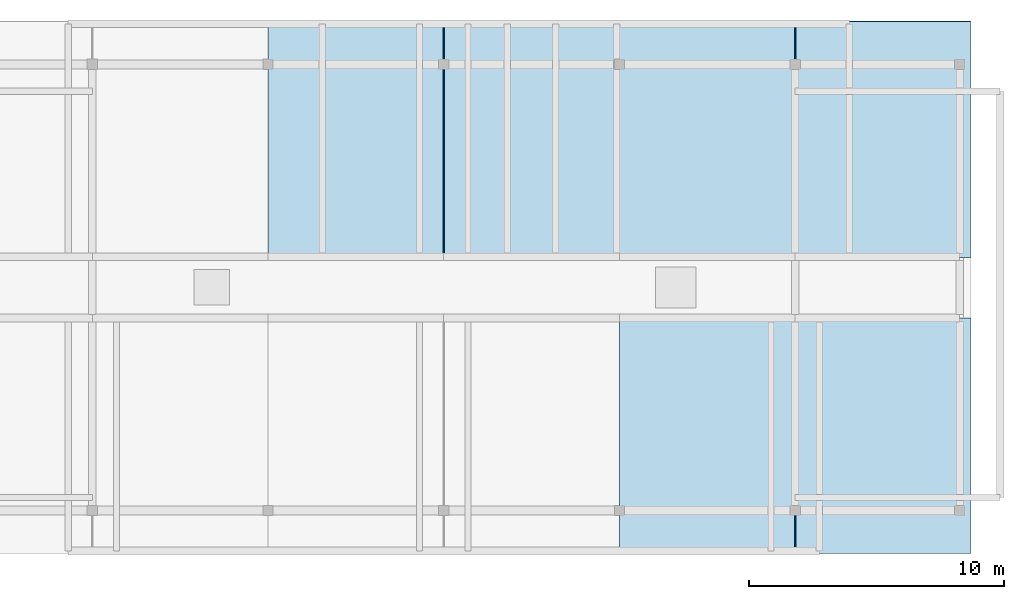
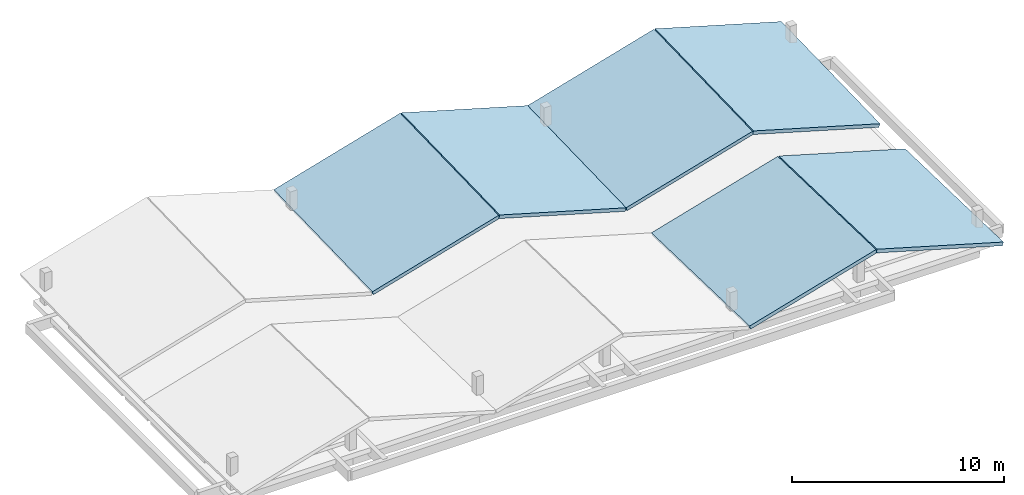
# One storey, part 2 of 3: 6 slabs.
"""IFC4 building model written with IfcOpenShell, lengths in metres."""

from ifc_helpers import new_model, si_unit, direction, frame, origin, place, context, subcontext, project, spatial, polyline, outline, extrude, material, layer, layer_set, type_object, element, save


model = new_model("IFC4")

# Units and contexts
model_context = context("Model", 3, precision=1e-05, world=origin(), true_north=direction((0.0, 1.0)))
body_context = subcontext(model_context, "Body", "Model", "MODEL_VIEW")
ifc_project = project(units=[si_unit("LENGTHUNIT", "METRE"), si_unit("AREAUNIT", "SQUARE_METRE"), si_unit("VOLUMEUNIT", "CUBIC_METRE"), si_unit("PLANEANGLEUNIT", "RADIAN"), si_unit("MASSUNIT", "GRAM", prefix="KILO")], contexts=[model_context])

# Site, building, storey
site_placement = place(None, origin())
site = spatial("IfcSite", under=ifc_project, at=site_placement, CompositionType="ELEMENT")
building_placement = place(site_placement, origin())
building = spatial("IfcBuilding", under=site, at=building_placement, Name="Zavelmont Quarter", CompositionType="ELEMENT")
storey_placement = place(building_placement, frame((0.0, 0.0, 49.60009765625)))
storey = spatial("IfcBuildingStorey", under=building, at=storey_placement, Name="ROOF", CompositionType="ELEMENT", Elevation=49.60009765625)

# Slabs
ifc_material = material(Name="White architectural precast concrete C40/50", Category="concrete")
ifc_layer_1 = layer(ifc_material, 0.199951171875)
ifc_layer_set_1 = layer_set([ifc_layer_1], Name="White architectural precast concrete C40/50")
slab_type_1 = type_object("IfcSlabType", Name="CRAN3", PredefinedType="ROOF", material=ifc_layer_set_1)
slab_1_placement = place(storey_placement, frame((13.800048828125, 10.375, 0.52490234375), z_axis=(-0.278264021149, -0.02588048519, 0.960155890999), x_axis=(0.960477608597, 0.0, 0.278357258542)))
element("IfcSlab", 1, at=slab_1_placement, inside=storey, type_object=slab_type_1, Name="Block A pleated crown roof CRAN3", PredefinedType="ROOF", context=body_context, shape_type="SweptSolid", body=[
    extrude(outline(polyline([(0.0, 0.0), (7.1525592948565135, -6.938893903907228e-18), (7.222148609492001, 9.278010067540764), (0.06958931463548745, 9.278010067540764), (0.0, 0.0)])), origin(), (0.0, 0.0, -1.0), 0.199951171875),
])
ifc_layer_2 = layer(ifc_material, 0.199951171875)
ifc_layer_set_2 = layer_set([ifc_layer_2], Name="White architectural precast concrete C40/50")
slab_type_2 = type_object("IfcSlabType", Name="CRAN4", PredefinedType="ROOF", material=ifc_layer_set_2)
slab_2_placement = place(storey_placement, frame((20.72998046875, 10.375, 2.515869140625), z_axis=(0.278254898233, -0.025880556403, 0.960158532957), x_axis=(0.960480253212, 0.0, -0.278348133082)))
element("IfcSlab", 2, at=slab_2_placement, inside=storey, type_object=slab_type_2, Name="Block A pleated crown roof CRAN4", PredefinedType="ROOF", context=body_context, shape_type="SweptSolid", body=[
    extrude(outline(polyline([(0.0, 0.0), (7.1527937867830085, -6.938893903907228e-18), (7.083206753512389, 9.278010084651765), (-0.06958703327061955, 9.278010084651765), (0.0, 0.0)])), origin(), (0.0, 0.0, -1.0), 0.199951171875),
])
ifc_layer_3 = layer(ifc_material, 0.199951171875)
ifc_layer_set_3 = layer_set([ifc_layer_3], Name="White architectural precast concrete C40/50")
slab_type_3 = type_object("IfcSlabType", Name="CRAN5", PredefinedType="ROOF", material=ifc_layer_set_3)
slab_3_placement = place(storey_placement, frame((27.60009765625, 10.375, 0.52490234375), z_axis=(-0.278264021149, -0.02588048519, 0.960155890999), x_axis=(0.960477608597, 0.0, 0.278357258542)))
element("IfcSlab", 3, at=slab_3_placement, inside=storey, type_object=slab_type_3, Name="Block A pleated crown roof CRAN5", PredefinedType="ROOF", context=body_context, shape_type="SweptSolid", body=[
    extrude(outline(polyline([(0.0, 0.0), (7.1525592948565135, -6.938893903907228e-18), (7.222148609492001, 9.278010067540764), (0.06958931463548745, 9.278010067540764), (0.0, 0.0)])), origin(), (0.0, 0.0, -1.0), 0.199951171875),
])
ifc_layer_4 = layer(ifc_material, 0.199951171875)
ifc_layer_set_4 = layer_set([ifc_layer_4], Name="White architectural precast concrete C40/50")
slab_type_4 = type_object("IfcSlabType", Name="CRAN6", PredefinedType="ROOF", material=ifc_layer_set_4)
slab_4_placement = place(storey_placement, frame((34.530029296875, 10.375, 2.515869140625), z_axis=(0.278264021149, -0.02588048519, 0.960155890999), x_axis=(0.960477608597, 0.0, -0.278357258542)))
element("IfcSlab", 4, at=slab_4_placement, inside=storey, type_object=slab_type_4, Name="Block A pleated crown roof CRAN6", PredefinedType="ROOF", context=body_context, shape_type="SweptSolid", body=[
    extrude(outline(polyline([(0.0, 0.0), (7.1525592948565135, 6.938893903907228e-18), (7.0829699802210255, 9.278010067540764), (-0.06958931463548745, 9.278010067540764), (0.0, 0.0)])), origin(), (0.0, 0.0, -1.0), 0.199951171875),
])
ifc_layer_5 = layer(ifc_material, 0.199951171875)
ifc_layer_set_5 = layer_set([ifc_layer_5], Name="White architectural precast concrete C40/50")
slab_type_5 = type_object("IfcSlabType", Name="CRAS5", PredefinedType="ROOF", material=ifc_layer_set_5)
slab_5_placement = place(storey_placement, frame((27.60009765625, -1.25, 0.77490234375), z_axis=(-0.278263518709, 0.02595011236, 0.960154157323), x_axis=(0.960477608597, 0.0, 0.278357258542)))
element("IfcSlab", 5, at=slab_5_placement, inside=storey, type_object=slab_type_5, Name="Block A pleated crown roof CRAS5", PredefinedType="ROOF", context=body_context, shape_type="SweptSolid", body=[
    extrude(outline(polyline([(0.0, 0.0), (7.1525592948565135, 6.938893903907228e-18), (7.0829699802210255, 9.253116087420961), (-0.06958931463548745, 9.253116087420961), (0.0, 0.0)])), origin(), (0.0, 0.0, -1.0), 0.199951171875),
])
ifc_layer_6 = layer(ifc_material, 0.199951171875)
ifc_layer_set_6 = layer_set([ifc_layer_6], Name="White architectural precast concrete C40/50")
slab_type_6 = type_object("IfcSlabType", Name="CRAS6", PredefinedType="ROOF", material=ifc_layer_set_6)
slab_6_placement = place(storey_placement, frame((34.530029296875, -1.25, 2.765869140625), z_axis=(0.278263518709, 0.02595011236, 0.960154157323), x_axis=(0.960477608597, 0.0, -0.278357258542)))
element("IfcSlab", 6, at=slab_6_placement, inside=storey, type_object=slab_type_6, Name="Block A pleated crown roof CRAS6", PredefinedType="ROOF", context=body_context, shape_type="SweptSolid", body=[
    extrude(outline(polyline([(0.0, 0.0), (7.1525592948565135, -6.938893903907228e-18), (7.222148609492001, 9.25311608742096), (0.06958931463548745, 9.253116087420961), (0.0, 0.0)])), origin(), (0.0, 0.0, -1.0), 0.199951171875),
])

save(model, "model.ifc")
